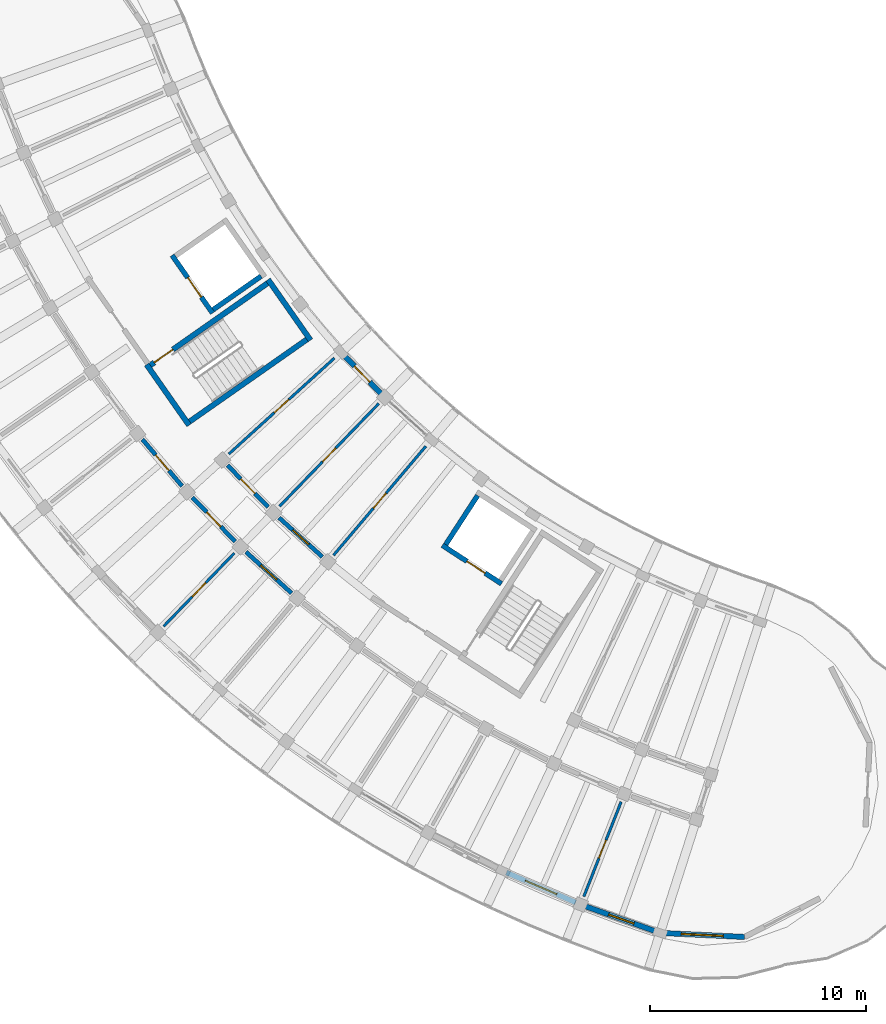
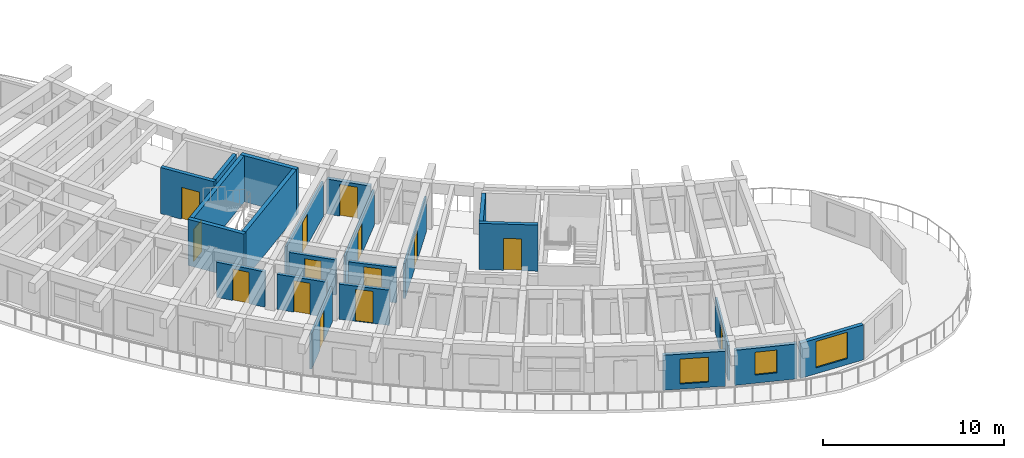
# One storey, part 38 of 78: 22 walls, 14 doors, 3 windows, 17 openings.
"""IFC4 building model written with IfcOpenShell, lengths in metres."""

from ifc_helpers import new_model, si_unit, direction, frame, frame_2d, origin, place, context, subcontext, project, spatial, rectangle, extrude, material, layer, layer_set, type_object, element, fill, save


model = new_model("IFC4")

# Units and contexts
model_context = context("Model", 3, precision=1e-05, world=origin(), true_north=direction((0.0, 1.0)))
body_context = subcontext(model_context, "Body", "Model", "MODEL_VIEW")
ifc_project = project(units=[si_unit("LENGTHUNIT", "METRE"), si_unit("AREAUNIT", "SQUARE_METRE"), si_unit("VOLUMEUNIT", "CUBIC_METRE"), si_unit("PLANEANGLEUNIT", "RADIAN"), si_unit("MASSUNIT", "GRAM", prefix="KILO")], contexts=[model_context])

# Site, building, storey
site_placement = place(None, origin())
site = spatial("IfcSite", under=ifc_project, at=site_placement, CompositionType="ELEMENT")
building_placement = place(site_placement, origin())
building = spatial("IfcBuilding", under=site, at=building_placement, Name="Tanwirah Colonnade Gardens", CompositionType="ELEMENT")
storey_placement = place(building_placement, frame((0.0, 0.0, 22.280029296875)))
storey = spatial("IfcBuildingStorey", under=building, at=storey_placement, Name="L06", CompositionType="ELEMENT", Elevation=22.280029296875)

# Wall, opening, door
ifc_material_1 = material(Name="Limestone architectural precast concrete C40/50", Category="masonry")
ifc_layer_1 = layer(ifc_material_1, 0.2451171875)
ifc_layer_set_1 = layer_set([ifc_layer_1], Name="Limestone architectural precast concrete C40/50")
wall_type_1 = type_object("IfcWallType", Name="EW-PC245", PredefinedType="SOLIDWALL", material=ifc_layer_set_1)
wall_1_placement = place(storey_placement, frame((32.208740234375, 34.49853515625, 0.0), z_axis=(0.0, 0.0, 1.0), x_axis=(0.696228228984, -0.717820488121, 0.0)))
wall_1 = element("IfcWall", 1, at=wall_1_placement, inside=storey, type_object=wall_type_1, Name="Block C L06 IN Precast Facade Wall 7", PredefinedType="SOLIDWALL", context=body_context, shape_type="SweptSolid", body=[
    extrude(rectangle(XDim=2.498779296875, YDim=0.2451171875, at=frame_2d((1.24951171875, 0.0))), origin(), (0.0, 0.0, 1.0), 2.35498046875),
])
opening_1_placement = place(wall_1_placement, frame((0.739501953125, 0.0, 0.0)))
opening_1 = element("IfcOpeningElement", 2, at=opening_1_placement, cuts=wall_1, Name="Opening L06-ED156", PredefinedType="OPENING", context=body_context, shape_type="SweptSolid", body=[
    extrude(rectangle(XDim=1.02001953125, YDim=2.139892578125, at=frame_2d((0.510009765625, 1.06982421875))), frame((0.0, 0.132568359375, 0.0), z_axis=(0.0, -1.0, 0.0), x_axis=(1.0, 0.0, 0.0)), (0.0, 0.0, 1.0), 0.26513671875),
])
ifc_material_2 = material(Name="Bronze aluminium glazed balcony door", Category="aluminium")
door_type_1 = type_object("IfcDoorType", Name="ED-BAL102", OperationType="NOTDEFINED", PredefinedType="DOOR", material=ifc_material_2)
door_1_placement = place(opening_1_placement, origin())
door_1 = element("IfcDoor", 3, at=door_1_placement, inside=storey, type_object=door_type_1, Name="Balcony glazed door L06-ED156", OperationType="SINGLE_SWING_RIGHT", OverallHeight=2.139892578125, OverallWidth=1.02001953125, PredefinedType="DOOR", context=body_context, shape_type="SweptSolid", body=[
    extrude(rectangle(XDim=1.02001953125, YDim=2.139892578125, at=frame_2d((0.510009765625, 1.06982421875))), frame((0.0, 0.02490234375, 0.0), z_axis=(0.0, -1.0, 0.0), x_axis=(1.0, 0.0, 0.0)), (0.0, 0.0, 1.0), 0.050048828125),
])
fill(opening_1, door_1)

# Wall, opening, window
wall_2_placement = place(storey_placement, frame((39.74462890625, 10.576171875, 0.0), z_axis=(0.0, 0.0, 1.0), x_axis=(0.917938367037, -0.396723019652, 0.0)))
wall_2 = element("IfcWall", 4, at=wall_2_placement, inside=storey, type_object=wall_type_1, Name="Block C L06 OUT Precast Facade Wall 13", PredefinedType="SOLIDWALL", context=body_context, shape_type="SweptSolid", body=[
    extrude(rectangle(XDim=3.48681640625, YDim=0.2451171875, at=frame_2d((1.743408203125, 0.0))), origin(), (0.0, 0.0, 1.0), 2.35498046875),
])
opening_2_placement = place(wall_2_placement, frame((0.953369140625, 0.0, 0.35009765625)))
opening_2 = element("IfcOpeningElement", 5, at=opening_2_placement, cuts=wall_2, Name="Opening WIN-T20", PredefinedType="OPENING", context=body_context, shape_type="SweptSolid", body=[
    extrude(rectangle(XDim=1.580078125, YDim=1.679931640625, at=frame_2d((0.7900390625, 0.83984375))), frame((0.0, 0.132568359375, 0.0), z_axis=(0.0, -1.0, 0.0), x_axis=(1.0, 0.0, 0.0)), (0.0, 0.0, 1.0), 0.26513671875),
])
ifc_material_3 = material(Name="Thermally broken bronze aluminium and solar low-E double glazing", Category="aluminium")
window_type_1 = type_object("IfcWindowType", Name="WIN-T20", PartitioningType="DOUBLE_PANEL_VERTICAL", PredefinedType="WINDOW", material=ifc_material_3)
window_1_placement = place(opening_2_placement, origin())
window_1 = element("IfcWindow", 6, at=window_1_placement, inside=storey, type_object=window_type_1, Name="Facade window C-L06-OUT-13", OverallHeight=1.679931640625, OverallWidth=1.580078125, PartitioningType="SINGLE_PANEL", PredefinedType="WINDOW", context=body_context, shape_type="SweptSolid", body=[
    extrude(rectangle(XDim=1.580078125, YDim=1.679931640625, at=frame_2d((0.7900390625, 0.83984375))), frame((0.0, 0.030029296875, 0.0), z_axis=(0.0, -1.0, 0.0), x_axis=(1.0, 0.0, 0.0)), (0.0, 0.0, 1.0), 0.06005859375),
])
fill(opening_2, window_1)

wall_3_placement = place(storey_placement, frame((43.410400390625, 9.009765625, 0.0), z_axis=(0.0, 0.0, 1.0), x_axis=(0.941903386561, -0.335883923976, 0.0)))
wall_3 = element("IfcWall", 7, at=wall_3_placement, inside=storey, type_object=wall_type_1, Name="Block C L06 OUT Precast Facade Wall 14", PredefinedType="SOLIDWALL", context=body_context, shape_type="SweptSolid", body=[
    extrude(rectangle(XDim=3.48681640625, YDim=0.2451171875, at=frame_2d((1.743408203125, 0.0))), origin(), (0.0, 0.0, 1.0), 2.35498046875),
])
opening_3_placement = place(wall_3_placement, frame((1.123291015625, 0.0, 0.550048828125)))
opening_3 = element("IfcOpeningElement", 8, at=opening_3_placement, cuts=wall_3, Name="Opening WIN-U03", PredefinedType="OPENING", context=body_context, shape_type="SweptSolid", body=[
    extrude(rectangle(XDim=1.239990234375, YDim=1.534912109375, at=frame_2d((0.6201171875, 0.767578125))), frame((0.0, 0.132568359375, 0.0), z_axis=(0.0, -1.0, 0.0), x_axis=(1.0, 0.0, 0.0)), (0.0, 0.0, 1.0), 0.26513671875),
])
window_type_2 = type_object("IfcWindowType", Name="WIN-U03", PartitioningType="DOUBLE_PANEL_VERTICAL", PredefinedType="WINDOW", material=ifc_material_3)
window_2_placement = place(opening_3_placement, origin())
window_2 = element("IfcWindow", 9, at=window_2_placement, inside=storey, type_object=window_type_2, Name="Facade window C-L06-OUT-14", OverallHeight=1.534912109375, OverallWidth=1.239990234375, PartitioningType="SINGLE_PANEL", PredefinedType="WINDOW", context=body_context, shape_type="SweptSolid", body=[
    extrude(rectangle(XDim=1.239990234375, YDim=1.534912109375, at=frame_2d((0.6201171875, 0.767578125))), frame((0.0, 0.030029296875, 0.0), z_axis=(0.0, -1.0, 0.0), x_axis=(1.0, 0.0, 0.0)), (0.0, 0.0, 1.0), 0.06005859375),
])
fill(opening_3, window_2)

wall_4_placement = place(storey_placement, frame((50.7490234375, 7.597412109375, 0.0), z_axis=(0.0, 0.0, 1.0), x_axis=(-0.998848550461, 0.047974714619, 0.0)))
wall_4 = element("IfcWall", 10, at=wall_4_placement, inside=storey, type_object=wall_type_1, Name="Block C L06 END Rounded End Wall 5", PredefinedType="SOLIDWALL", context=body_context, shape_type="SweptSolid", body=[
    extrude(rectangle(XDim=3.908203125, YDim=0.2451171875, at=frame_2d((1.9541015625, 0.0))), origin(), (0.0, 0.0, 1.0), 2.35498046875),
])
opening_4_placement = place(wall_4_placement, frame((0.97900390625, 0.0, 0.39990234375)))
opening_4 = element("IfcOpeningElement", 11, at=opening_4_placement, cuts=wall_4, Name="Opening WIN-END2", PredefinedType="OPENING", context=body_context, shape_type="SweptSolid", body=[
    extrude(rectangle(XDim=1.949951171875, YDim=1.780029296875, at=frame_2d((0.97509765625, 0.89013671875))), frame((0.0, 0.132568359375, 0.0), z_axis=(0.0, -1.0, 0.0), x_axis=(1.0, 0.0, 0.0)), (0.0, 0.0, 1.0), 0.26513671875),
])
window_type_3 = type_object("IfcWindowType", Name="WIN-END2", PartitioningType="TRIPLE_PANEL_VERTICAL", PredefinedType="WINDOW", material=ifc_material_3)
window_3_placement = place(opening_4_placement, origin())
window_3 = element("IfcWindow", 12, at=window_3_placement, inside=storey, type_object=window_type_3, Name="Rounded corner window C-L06-END-5", OverallHeight=1.780029296875, OverallWidth=1.949951171875, PartitioningType="SINGLE_PANEL", PredefinedType="WINDOW", context=body_context, shape_type="SweptSolid", body=[
    extrude(rectangle(XDim=1.949951171875, YDim=1.780029296875, at=frame_2d((0.97509765625, 0.89013671875))), frame((0.0, 0.030029296875, 0.0), z_axis=(0.0, -1.0, 0.0), x_axis=(1.0, 0.0, 0.0)), (0.0, 0.0, 1.0), 0.06005859375),
])
fill(opening_4, window_3)

# Wall, opening, door
ifc_material_4 = material(Name="Precast concrete C40/50", Category="concrete")
ifc_layer_2 = layer(ifc_material_4, 0.195068359375)
ifc_layer_set_2 = layer_set([ifc_layer_2], Name="Precast concrete C40/50")
wall_type_2 = type_object("IfcWallType", Name="IW-CORR195", PredefinedType="PARTITIONING", material=ifc_layer_set_2)
wall_5_placement = place(storey_placement, frame((22.9267578125, 30.58642578125, 0.0), z_axis=(0.0, 0.0, 1.0), x_axis=(0.64778830669, -0.761820392032, 0.0)))
wall_5 = element("IfcWall", 13, at=wall_5_placement, inside=storey, type_object=wall_type_2, Name="Block C L06 OUT Corridor Wall 6", PredefinedType="PARTITIONING", context=body_context, shape_type="SweptSolid", body=[
    extrude(rectangle(XDim=2.8369140625, YDim=0.195068359375, at=frame_2d((1.41845703125, 0.0))), origin(), (0.0, 0.0, 1.0), 2.369873046875),
])
opening_5_placement = place(wall_5_placement, frame((0.943603515625, 0.0, 0.0)))
opening_5 = element("IfcOpeningElement", 14, at=opening_5_placement, cuts=wall_5, Name="Opening L06-AD1516", PredefinedType="OPENING", context=body_context, shape_type="SweptSolid", body=[
    extrude(rectangle(XDim=0.949951171875, YDim=2.1298828125, at=frame_2d((0.47509765625, 1.06494140625))), frame((0.0, 0.107421875, 0.0), z_axis=(0.0, -1.0, 0.0), x_axis=(1.0, 0.0, 0.0)), (0.0, 0.0, 1.0), 0.215087890625),
])
ifc_material_5 = material(Name="Solid oak fire-resisting apartment entrance door")
door_type_2 = type_object("IfcDoorType", Name="ID-FLT095", OperationType="NOTDEFINED", PredefinedType="DOOR", material=ifc_material_5)
door_2_placement = place(opening_5_placement, origin())
door_2 = element("IfcDoor", 15, at=door_2_placement, inside=storey, type_object=door_type_2, Name="Apartment corridor door L06-AD1516", OperationType="SINGLE_SWING_LEFT", OverallHeight=2.1298828125, OverallWidth=0.949951171875, PredefinedType="DOOR", context=body_context, shape_type="SweptSolid", body=[
    extrude(rectangle(XDim=0.949951171875, YDim=2.1298828125, at=frame_2d((0.47509765625, 1.06494140625))), frame((0.0, 0.02490234375, 0.0), z_axis=(0.0, -1.0, 0.0), x_axis=(1.0, 0.0, 0.0)), (0.0, 0.0, 1.0), 0.050048828125),
])
fill(opening_5, door_2)

wall_6_placement = place(storey_placement, frame((25.23486328125, 27.9072265625, 0.0), z_axis=(0.0, 0.0, 1.0), x_axis=(0.696223786753, -0.717824796701, 0.0)))
wall_6 = element("IfcWall", 16, at=wall_6_placement, inside=storey, type_object=wall_type_2, Name="Block C L06 OUT Corridor Wall 7", PredefinedType="PARTITIONING", context=body_context, shape_type="SweptSolid", body=[
    extrude(rectangle(XDim=2.8369140625, YDim=0.195068359375, at=frame_2d((1.41845703125, 0.0))), origin(), (0.0, 0.0, 1.0), 2.369873046875),
])
opening_6_placement = place(wall_6_placement, frame((0.95361328125, 0.0, 0.0)))
opening_6 = element("IfcOpeningElement", 17, at=opening_6_placement, cuts=wall_6, Name="Opening L06-AD1518", PredefinedType="OPENING", context=body_context, shape_type="SweptSolid", body=[
    extrude(rectangle(XDim=0.929931640625, YDim=2.1201171875, at=frame_2d((0.46484375, 1.06005859375))), frame((0.0, 0.107421875, 0.0), z_axis=(0.0, -1.0, 0.0), x_axis=(1.0, 0.0, 0.0)), (0.0, 0.0, 1.0), 0.215087890625),
])
door_type_3 = type_object("IfcDoorType", Name="ID-FLT093", OperationType="NOTDEFINED", PredefinedType="DOOR", material=ifc_material_5)
door_3_placement = place(opening_6_placement, origin())
door_3 = element("IfcDoor", 18, at=door_3_placement, inside=storey, type_object=door_type_3, Name="Apartment corridor door L06-AD1518", OperationType="SINGLE_SWING_RIGHT", OverallHeight=2.1201171875, OverallWidth=0.929931640625, PredefinedType="DOOR", context=body_context, shape_type="SweptSolid", body=[
    extrude(rectangle(XDim=0.929931640625, YDim=2.1201171875, at=frame_2d((0.46484375, 1.06005859375))), frame((0.0, 0.02490234375, 0.0), z_axis=(0.0, -1.0, 0.0), x_axis=(1.0, 0.0, 0.0)), (0.0, 0.0, 1.0), 0.050048828125),
])
fill(opening_6, door_3)

wall_7_placement = place(storey_placement, frame((26.86328125, 29.386474609375, 0.0), z_axis=(0.0, 0.0, 1.0), x_axis=(0.696236443412, -0.717812520694, 0.0)))
wall_7 = element("IfcWall", 19, at=wall_7_placement, inside=storey, type_object=wall_type_2, Name="Block C L06 IN Corridor Wall 7", PredefinedType="PARTITIONING", context=body_context, shape_type="SweptSolid", body=[
    extrude(rectangle(XDim=2.693115234375, YDim=0.195068359375, at=frame_2d((1.3466796875, 0.0))), origin(), (0.0, 0.0, 1.0), 2.369873046875),
])
opening_7_placement = place(wall_7_placement, frame((0.881591796875, 0.0, 0.0)))
opening_7 = element("IfcOpeningElement", 20, at=opening_7_placement, cuts=wall_7, Name="Opening L06-AD1519", PredefinedType="OPENING", context=body_context, shape_type="SweptSolid", body=[
    extrude(rectangle(XDim=0.929931640625, YDim=2.1201171875, at=frame_2d((0.46484375, 1.06005859375))), frame((0.0, 0.107421875, 0.0), z_axis=(0.0, -1.0, 0.0), x_axis=(1.0, 0.0, 0.0)), (0.0, 0.0, 1.0), 0.215087890625),
])
door_4_placement = place(opening_7_placement, origin())
door_4 = element("IfcDoor", 21, at=door_4_placement, inside=storey, type_object=door_type_3, Name="Apartment corridor door L06-AD1519", OperationType="SINGLE_SWING_LEFT", OverallHeight=2.1201171875, OverallWidth=0.929931640625, PredefinedType="DOOR", context=body_context, shape_type="SweptSolid", body=[
    extrude(rectangle(XDim=0.929931640625, YDim=2.1201171875, at=frame_2d((0.46484375, 1.06005859375))), frame((0.0, 0.02490234375, 0.0), z_axis=(0.0, -1.0, 0.0), x_axis=(1.0, 0.0, 0.0)), (0.0, 0.0, 1.0), 0.050048828125),
])
fill(opening_7, door_4)

wall_8_placement = place(storey_placement, frame((27.71337890625, 25.385009765625, 0.0), z_axis=(0.0, 0.0, 1.0), x_axis=(0.741631592147, -0.670807410163, 0.0)))
wall_8 = element("IfcWall", 22, at=wall_8_placement, inside=storey, type_object=wall_type_2, Name="Block C L06 OUT Corridor Wall 8", PredefinedType="PARTITIONING", context=body_context, shape_type="SweptSolid", body=[
    extrude(rectangle(XDim=2.8369140625, YDim=0.195068359375, at=frame_2d((1.41845703125, 0.0))), origin(), (0.0, 0.0, 1.0), 2.369873046875),
])
opening_8_placement = place(wall_8_placement, frame((0.923583984375, 0.0, 0.0)))
opening_8 = element("IfcOpeningElement", 23, at=opening_8_placement, cuts=wall_8, Name="Opening L06-AD1522", PredefinedType="OPENING", context=body_context, shape_type="SweptSolid", body=[
    extrude(rectangle(XDim=0.989990234375, YDim=2.159912109375, at=frame_2d((0.4951171875, 1.080078125))), frame((0.0, 0.107421875, 0.0), z_axis=(0.0, -1.0, 0.0), x_axis=(1.0, 0.0, 0.0)), (0.0, 0.0, 1.0), 0.215087890625),
])
door_type_4 = type_object("IfcDoorType", Name="ID-FLT099", OperationType="NOTDEFINED", PredefinedType="DOOR", material=ifc_material_5)
door_5_placement = place(opening_8_placement, origin())
door_5 = element("IfcDoor", 24, at=door_5_placement, inside=storey, type_object=door_type_4, Name="Apartment corridor door L06-AD1522", OperationType="SINGLE_SWING_LEFT", OverallHeight=2.159912109375, OverallWidth=0.989990234375, PredefinedType="DOOR", context=body_context, shape_type="SweptSolid", body=[
    extrude(rectangle(XDim=0.989990234375, YDim=2.159912109375, at=frame_2d((0.4951171875, 1.080078125))), frame((0.0, 0.02490234375, 0.0), z_axis=(0.0, -1.0, 0.0), x_axis=(1.0, 0.0, 0.0)), (0.0, 0.0, 1.0), 0.050048828125),
])
fill(opening_8, door_5)

wall_9_placement = place(storey_placement, frame((29.241455078125, 26.967529296875, 0.0), z_axis=(0.0, 0.0, 1.0), x_axis=(0.74166462946, -0.670770882945, 0.0)))
wall_9 = element("IfcWall", 25, at=wall_9_placement, inside=storey, type_object=wall_type_2, Name="Block C L06 IN Corridor Wall 8", PredefinedType="PARTITIONING", context=body_context, shape_type="SweptSolid", body=[
    extrude(rectangle(XDim=2.693115234375, YDim=0.195068359375, at=frame_2d((1.3466796875, 0.0))), origin(), (0.0, 0.0, 1.0), 2.369873046875),
])
opening_9_placement = place(wall_9_placement, frame((0.8515625, 0.0, 0.0)))
opening_9 = element("IfcOpeningElement", 26, at=opening_9_placement, cuts=wall_9, Name="Opening L06-AD1523", PredefinedType="OPENING", context=body_context, shape_type="SweptSolid", body=[
    extrude(rectangle(XDim=0.989990234375, YDim=2.159912109375, at=frame_2d((0.4951171875, 1.080078125))), frame((0.0, 0.107421875, 0.0), z_axis=(0.0, -1.0, 0.0), x_axis=(1.0, 0.0, 0.0)), (0.0, 0.0, 1.0), 0.215087890625),
])
door_6_placement = place(opening_9_placement, origin())
door_6 = element("IfcDoor", 27, at=door_6_placement, inside=storey, type_object=door_type_4, Name="Apartment corridor door L06-AD1523", OperationType="SINGLE_SWING_RIGHT", OverallHeight=2.159912109375, OverallWidth=0.989990234375, PredefinedType="DOOR", context=body_context, shape_type="SweptSolid", body=[
    extrude(rectangle(XDim=0.989990234375, YDim=2.159912109375, at=frame_2d((0.4951171875, 1.080078125))), frame((0.0, 0.02490234375, 0.0), z_axis=(0.0, -1.0, 0.0), x_axis=(1.0, 0.0, 0.0)), (0.0, 0.0, 1.0), 0.050048828125),
])
fill(opening_9, door_6)

ifc_material_6 = material(Name="Moisture-resistant gypsum stud partition")
ifc_layer_3 = layer(ifc_material_6, 0.125)
ifc_layer_set_3 = layer_set([ifc_layer_3], Name="Moisture-resistant gypsum stud partition")
wall_type_3 = type_object("IfcWallType", Name="IW-INT125", PredefinedType="PARTITIONING", material=ifc_layer_set_3)
wall_10_placement = place(storey_placement, frame((31.80126953125, 34.34423828125, 0.0), z_axis=(0.0, 0.0, 1.0), x_axis=(-0.74023124711, -0.672352363573, 0.0)))
wall_10 = element("IfcWall", 28, at=wall_10_placement, inside=storey, type_object=wall_type_3, Name="Block C L06 Inner Radial Partition 6", PredefinedType="PARTITIONING", context=body_context, shape_type="SweptSolid", body=[
    extrude(rectangle(XDim=6.599853515625, YDim=0.125, at=frame_2d((3.2998046875, 0.0))), origin(), (0.0, 0.0, 1.0), 2.369873046875),
])
opening_10_placement = place(wall_10_placement, frame((2.85498046875, 0.0, 0.0)))
opening_10 = element("IfcOpeningElement", 29, at=opening_10_placement, cuts=wall_10, Name="Opening L06-RD1517", PredefinedType="OPENING", context=body_context, shape_type="SweptSolid", body=[
    extrude(rectangle(XDim=0.889892578125, YDim=2.10009765625, at=frame_2d((0.44482421875, 1.050048828125))), frame((0.0, 0.072509765625, 0.0), z_axis=(0.0, -1.0, 0.0), x_axis=(1.0, 0.0, 0.0)), (0.0, 0.0, 1.0), 0.14501953125),
])
ifc_material_7 = material(Name="Painted hardwood bedroom door", Category="wood")
door_type_5 = type_object("IfcDoorType", Name="ID-RM089", OperationType="NOTDEFINED", PredefinedType="DOOR", material=ifc_material_7)
door_7_placement = place(opening_10_placement, origin())
door_7 = element("IfcDoor", 30, at=door_7_placement, inside=storey, type_object=door_type_5, Name="Internal apartment door L06-RD1517", OperationType="SINGLE_SWING_RIGHT", OverallHeight=2.10009765625, OverallWidth=0.889892578125, PredefinedType="DOOR", context=body_context, shape_type="SweptSolid", body=[
    extrude(rectangle(XDim=0.889892578125, YDim=2.10009765625, at=frame_2d((0.44482421875, 1.050048828125))), frame((0.0, 0.02490234375, 0.0), z_axis=(0.0, -1.0, 0.0), x_axis=(1.0, 0.0, 0.0)), (0.0, 0.0, 1.0), 0.050048828125),
])
fill(opening_10, door_7)

wall_11_placement = place(storey_placement, frame((27.17578125, 25.33203125, 0.0), z_axis=(0.0, 0.0, 1.0), x_axis=(-0.69466218314, -0.719336118456, 0.0)))
wall_11 = element("IfcWall", 31, at=wall_11_placement, inside=storey, type_object=wall_type_3, Name="Block C L06 Radial Partition 7", PredefinedType="PARTITIONING", context=body_context, shape_type="SweptSolid", body=[
    extrude(rectangle(XDim=4.699951171875, YDim=0.125, at=frame_2d((2.35009765625, 0.0))), origin(), (0.0, 0.0, 1.0), 2.369873046875),
])
opening_11_placement = place(wall_11_placement, frame((1.905029296875, 0.0, 0.0)))
opening_11 = element("IfcOpeningElement", 32, at=opening_11_placement, cuts=wall_11, Name="Opening L06-RD1520", PredefinedType="OPENING", context=body_context, shape_type="SweptSolid", body=[
    extrude(rectangle(XDim=0.889892578125, YDim=2.10009765625, at=frame_2d((0.44482421875, 1.050048828125))), frame((0.0, 0.072509765625, 0.0), z_axis=(0.0, -1.0, 0.0), x_axis=(1.0, 0.0, 0.0)), (0.0, 0.0, 1.0), 0.14501953125),
])
door_8_placement = place(opening_11_placement, origin())
door_8 = element("IfcDoor", 33, at=door_8_placement, inside=storey, type_object=door_type_5, Name="Internal apartment door L06-RD1520", OperationType="SINGLE_SWING_RIGHT", OverallHeight=2.10009765625, OverallWidth=0.889892578125, PredefinedType="DOOR", context=body_context, shape_type="SweptSolid", body=[
    extrude(rectangle(XDim=0.889892578125, YDim=2.10009765625, at=frame_2d((0.44482421875, 1.050048828125))), frame((0.0, 0.02490234375, 0.0), z_axis=(0.0, -1.0, 0.0), x_axis=(1.0, 0.0, 0.0)), (0.0, 0.0, 1.0), 0.050048828125),
])
fill(opening_11, door_8)

wall_12_placement = place(storey_placement, frame((33.844482421875, 32.237548828125, 0.0), z_axis=(0.0, 0.0, 1.0), x_axis=(-0.69466250658, -0.71933580611, 0.0)))
wall_12 = element("IfcWall", 34, at=wall_12_placement, inside=storey, type_object=wall_type_3, Name="Block C L06 Inner Radial Partition 7", PredefinedType="PARTITIONING", context=body_context, shape_type="SweptSolid", body=[
    extrude(rectangle(XDim=6.599853515625, YDim=0.125, at=frame_2d((3.2998046875, 0.0))), origin(), (0.0, 0.0, 1.0), 2.369873046875),
])
opening_12_placement = place(wall_12_placement, frame((2.864990234375, 0.0, 0.0)))
opening_12 = element("IfcOpeningElement", 35, at=opening_12_placement, cuts=wall_12, Name="Opening L06-RD1521", PredefinedType="OPENING", context=body_context, shape_type="SweptSolid", body=[
    extrude(rectangle(XDim=0.8701171875, YDim=2.080078125, at=frame_2d((0.43505859375, 1.0400390625))), frame((0.0, 0.072509765625, 0.0), z_axis=(0.0, -1.0, 0.0), x_axis=(1.0, 0.0, 0.0)), (0.0, 0.0, 1.0), 0.14501953125),
])
ifc_material_8 = material(Name="Painted hardwood study door", Category="wood")
door_type_6 = type_object("IfcDoorType", Name="ID-RM087", OperationType="NOTDEFINED", PredefinedType="DOOR", material=ifc_material_8)
door_9_placement = place(opening_12_placement, origin())
door_9 = element("IfcDoor", 36, at=door_9_placement, inside=storey, type_object=door_type_6, Name="Internal apartment door L06-RD1521", OperationType="SINGLE_SWING_LEFT", OverallHeight=2.080078125, OverallWidth=0.8701171875, PredefinedType="DOOR", context=body_context, shape_type="SweptSolid", body=[
    extrude(rectangle(XDim=0.8701171875, YDim=2.080078125, at=frame_2d((0.43505859375, 1.0400390625))), frame((0.0, 0.02490234375, 0.0), z_axis=(0.0, -1.0, 0.0), x_axis=(1.0, 0.0, 0.0)), (0.0, 0.0, 1.0), 0.050048828125),
])
fill(opening_12, door_9)

wall_13_placement = place(storey_placement, frame((36.021240234375, 30.26904296875, 0.0), z_axis=(0.0, 0.0, 1.0), x_axis=(-0.646121311019, -0.763234728932, 0.0)))
wall_13 = element("IfcWall", 37, at=wall_13_placement, inside=storey, type_object=wall_type_3, Name="Block C L06 Inner Radial Partition 8", PredefinedType="PARTITIONING", context=body_context, shape_type="SweptSolid", body=[
    extrude(rectangle(XDim=6.60009765625, YDim=0.125, at=frame_2d((3.300048828125, 0.0))), origin(), (0.0, 0.0, 1.0), 2.369873046875),
])
opening_13_placement = place(wall_13_placement, frame((2.844970703125, 0.0, 0.0)))
opening_13 = element("IfcOpeningElement", 38, at=opening_13_placement, cuts=wall_13, Name="Opening L06-RD1524", PredefinedType="OPENING", context=body_context, shape_type="SweptSolid", body=[
    extrude(rectangle(XDim=0.909912109375, YDim=2.10009765625, at=frame_2d((0.455078125, 1.050048828125))), frame((0.0, 0.072509765625, 0.0), z_axis=(0.0, -1.0, 0.0), x_axis=(1.0, 0.0, 0.0)), (0.0, 0.0, 1.0), 0.14501953125),
])
ifc_material_9 = material(Name="Painted hardwood internal room door", Category="wood")
door_type_7 = type_object("IfcDoorType", Name="ID-RM091", OperationType="NOTDEFINED", PredefinedType="DOOR", material=ifc_material_9)
door_10_placement = place(opening_13_placement, origin())
door_10 = element("IfcDoor", 39, at=door_10_placement, inside=storey, type_object=door_type_7, Name="Internal apartment door L06-RD1524", OperationType="SINGLE_SWING_RIGHT", OverallHeight=2.10009765625, OverallWidth=0.909912109375, PredefinedType="DOOR", context=body_context, shape_type="SweptSolid", body=[
    extrude(rectangle(XDim=0.909912109375, YDim=2.10009765625, at=frame_2d((0.455078125, 1.050048828125))), frame((0.0, 0.02490234375, 0.0), z_axis=(0.0, -1.0, 0.0), x_axis=(1.0, 0.0, 0.0)), (0.0, 0.0, 1.0), 0.050048828125),
])
fill(opening_13, door_10)

wall_14_placement = place(storey_placement, frame((45.0439453125, 13.8388671875, 0.0), z_axis=(0.0, 0.0, 1.0), x_axis=(-0.366468650514, -0.930430399434, 0.0)))
wall_14 = element("IfcWall", 40, at=wall_14_placement, inside=storey, type_object=wall_type_3, Name="Block C L06 Radial Partition 13", PredefinedType="PARTITIONING", context=body_context, shape_type="SweptSolid", body=[
    extrude(rectangle(XDim=4.699951171875, YDim=0.125, at=frame_2d((2.35009765625, 0.0))), origin(), (0.0, 0.0, 1.0), 2.369873046875),
])
opening_14_placement = place(wall_14_placement, frame((1.905029296875, 0.0, 0.0)))
opening_14 = element("IfcOpeningElement", 41, at=opening_14_placement, cuts=wall_14, Name="Opening L06-RD1533", PredefinedType="OPENING", context=body_context, shape_type="SweptSolid", body=[
    extrude(rectangle(XDim=0.889892578125, YDim=2.10009765625, at=frame_2d((0.44482421875, 1.050048828125))), frame((0.0, 0.072509765625, 0.0), z_axis=(0.0, -1.0, 0.0), x_axis=(1.0, 0.0, 0.0)), (0.0, 0.0, 1.0), 0.14501953125),
])
door_11_placement = place(opening_14_placement, origin())
door_11 = element("IfcDoor", 42, at=door_11_placement, inside=storey, type_object=door_type_5, Name="Internal apartment door L06-RD1533", OperationType="SINGLE_SWING_RIGHT", OverallHeight=2.10009765625, OverallWidth=0.889892578125, PredefinedType="DOOR", context=body_context, shape_type="SweptSolid", body=[
    extrude(rectangle(XDim=0.889892578125, YDim=2.10009765625, at=frame_2d((0.44482421875, 1.050048828125))), frame((0.0, 0.02490234375, 0.0), z_axis=(0.0, -1.0, 0.0), x_axis=(1.0, 0.0, 0.0)), (0.0, 0.0, 1.0), 0.050048828125),
])
fill(opening_14, door_11)

# Walls
ifc_material_10 = material(Name="Concrete C45/55", Category="concrete")
ifc_layer_4 = layer(ifc_material_10, 0.25)
ifc_layer_set_4 = layer_set([ifc_layer_4], Name="Concrete C45/55")
wall_type_4 = type_object("IfcWallType", Name="SW-CORE250", PredefinedType="SHEAR", material=ifc_layer_set_4)
wall_15_placement = place(storey_placement, frame((25.1142578125, 31.413818359375, 0.0), z_axis=(0.0, 0.0, 1.0), x_axis=(0.819141541656, 0.573591435374, 0.0)))
element("IfcWall", 43, at=wall_15_placement, inside=storey, type_object=wall_type_4, Name="CORE-C1 L06 Stair Shaft Shear Wall LEFT", PredefinedType="SHEAR", context=body_context, shape_type="SweptSolid", body=[
    extrude(rectangle(XDim=6.599853515625, YDim=0.25, at=frame_2d((3.2998046875, 0.0))), origin(), (0.0, 0.0, 1.0), 3.10986328125),
])
for number, where, z_axis, x_axis, name in (
    (44, (30.694580078125, 35.168701171875, 0.0), (0.0, 0.0, 1.0), (-0.573582112484, 0.819148069789, 0.0), "CORE-C1 L06 Stair Shaft Shear Wall FAR"),
    (45, (25.08349609375, 31.23974609375, 0.0), (0.0, 0.0, 1.0), (-0.573582112484, 0.819148069789, 0.0), "CORE-C1 L06 Stair Shaft Shear Wall NEAR"),
):
    element("IfcWall", number, at=place(storey_placement, frame(where, z_axis=z_axis, x_axis=x_axis)), inside=storey, type_object=wall_type_4, Name=name, PredefinedType="SHEAR", context=body_context, shape_type="SweptSolid", body=[
        extrude(rectangle(XDim=3.419921875, YDim=0.25, at=frame_2d((1.7099609375, 0.0))), origin(), (0.0, 0.0, 1.0), 3.10986328125),
    ])

# Wall, opening, door
wall_16_placement = place(storey_placement, frame((23.2958984375, 34.010498046875, 0.0), z_axis=(0.0, 0.0, 1.0), x_axis=(0.819153711596, 0.573574055182, 0.0)))
wall_16 = element("IfcWall", 46, at=wall_16_placement, inside=storey, type_object=wall_type_4, Name="CORE-C1 L06 Stair Shaft Shear Wall RIGHT", PredefinedType="SHEAR", context=body_context, shape_type="SweptSolid", body=[
    extrude(rectangle(XDim=6.60009765625, YDim=0.25, at=frame_2d((3.300048828125, 0.0))), origin(), (0.0, 0.0, 1.0), 3.10986328125),
])
opening_15_placement = place(wall_16_placement, frame((0.219970703125, 0.0, 0.0)))
opening_15 = element("IfcOpeningElement", 47, at=opening_15_placement, cuts=wall_16, Name="Opening L06-SD128", PredefinedType="OPENING", context=body_context, shape_type="SweptSolid", body=[
    extrude(rectangle(XDim=1.050048828125, YDim=2.14990234375, at=frame_2d((0.52490234375, 1.074951171875))), frame((0.0, 0.135009765625, 0.0), z_axis=(0.0, -1.0, 0.0), x_axis=(1.0, 0.0, 0.0)), (0.0, 0.0, 1.0), 0.27001953125),
])
ifc_material_11 = material(Name="Steel fire-resisting stair enclosure door", Category="steel")
door_type_8 = type_object("IfcDoorType", Name="ID-ST105", OperationType="NOTDEFINED", PredefinedType="DOOR", material=ifc_material_11)
door_12_placement = place(opening_15_placement, origin())
door_12 = element("IfcDoor", 48, at=door_12_placement, inside=storey, type_object=door_type_8, Name="CORE-C1 L06 Stair Fire Door L06-SD128", OperationType="SINGLE_SWING_LEFT", OverallHeight=2.14990234375, OverallWidth=1.050048828125, PredefinedType="DOOR", context=body_context, shape_type="SweptSolid", body=[
    extrude(rectangle(XDim=1.050048828125, YDim=2.14990234375, at=frame_2d((0.52490234375, 1.074951171875))), frame((0.0, 0.02490234375, 0.0), z_axis=(0.0, -1.0, 0.0), x_axis=(1.0, 0.0, 0.0)), (0.0, 0.0, 1.0), 0.050048828125),
])
fill(opening_15, door_12)

ifc_layer_5 = layer(ifc_material_10, 0.22998046875)
ifc_layer_set_5 = layer_set([ifc_layer_5], Name="Concrete C45/55")
wall_type_5 = type_object("IfcWallType", Name="SW-LIFT230", PredefinedType="SHEAR", material=ifc_layer_set_5)
wall_17_placement = place(storey_placement, frame((26.1689453125, 36.419189453125, 0.0), z_axis=(0.0, 0.0, 1.0), x_axis=(-0.573582966431, 0.819147471839, 0.0)))
wall_17 = element("IfcWall", 49, at=wall_17_placement, inside=storey, type_object=wall_type_5, Name="CORE-C1 L06 Lift Shaft Wall FRONT", PredefinedType="SHEAR", context=body_context, shape_type="SweptSolid", body=[
    extrude(rectangle(XDim=3.260009765625, YDim=0.22998046875, at=frame_2d((1.6298828125, 0.0))), origin(), (0.0, 0.0, 1.0), 3.10986328125),
])
opening_16_placement = place(wall_17_placement, frame((0.89990234375, 0.0, 0.0)))
opening_16 = element("IfcOpeningElement", 50, at=opening_16_placement, cuts=wall_17, Name="Opening L06-LD-FL-C1", PredefinedType="OPENING", context=body_context, shape_type="SweptSolid", body=[
    extrude(rectangle(XDim=1.10009765625, YDim=2.14990234375, at=frame_2d((0.550048828125, 1.074951171875))), frame((0.0, 0.125, 0.0), z_axis=(0.0, -1.0, 0.0), x_axis=(1.0, 0.0, 0.0)), (0.0, 0.0, 1.0), 0.25),
])
ifc_material_12 = material(Name="Stainless steel sliding fire lift landing door", Category="steel")
door_type_9 = type_object("IfcDoorType", Name="LD-FF11", OperationType="DOUBLE_DOOR_SLIDING", PredefinedType="DOOR", material=ifc_material_12)
door_13_placement = place(opening_16_placement, origin())
door_13 = element("IfcDoor", 51, at=door_13_placement, inside=storey, type_object=door_type_9, Name="Lift FL-C1 L06 Sliding Landing Door", OperationType="DOUBLE_DOOR_SLIDING", OverallHeight=2.14990234375, OverallWidth=1.10009765625, PredefinedType="DOOR", context=body_context, shape_type="SweptSolid", body=[
    extrude(rectangle(XDim=1.10009765625, YDim=2.14990234375, at=frame_2d((0.550048828125, 1.074951171875))), frame((0.0, 0.02490234375, 0.0), z_axis=(0.0, -1.0, 0.0), x_axis=(1.0, 0.0, 0.0)), (0.0, 0.0, 1.0), 0.050048828125),
])
fill(opening_16, door_13)

# Wall
wall_18_placement = place(storey_placement, frame((26.197265625, 36.579345703125, 0.0), z_axis=(0.0, 0.0, 1.0), x_axis=(0.819159695432, 0.573565509231, 0.0)))
element("IfcWall", 52, at=wall_18_placement, inside=storey, type_object=wall_type_5, Name="CORE-C1 L06 Lift Shaft Wall SIDEA", PredefinedType="SHEAR", context=body_context, shape_type="SweptSolid", body=[
    extrude(rectangle(XDim=2.699951171875, YDim=0.22998046875, at=frame_2d((1.35009765625, 0.0))), origin(), (0.0, 0.0, 1.0), 3.10986328125),
])

# Wall, opening, door
wall_19_placement = place(storey_placement, frame((39.515869140625, 23.91748046875, 0.0), z_axis=(0.0, 0.0, 1.0), x_axis=(-0.838660840752, 0.544654013286, 0.0)))
wall_19 = element("IfcWall", 53, at=wall_19_placement, inside=storey, type_object=wall_type_5, Name="CORE-C2 L06 Lift Shaft Wall FRONT", PredefinedType="SHEAR", context=body_context, shape_type="SweptSolid", body=[
    extrude(rectangle(XDim=3.260009765625, YDim=0.22998046875, at=frame_2d((1.6298828125, 0.0))), origin(), (0.0, 0.0, 1.0), 3.10986328125),
])
opening_17_placement = place(wall_19_placement, frame((0.89990234375, 0.0, 0.0)))
opening_17 = element("IfcOpeningElement", 54, at=opening_17_placement, cuts=wall_19, Name="Opening L06-LD-PL-C2", PredefinedType="OPENING", context=body_context, shape_type="SweptSolid", body=[
    extrude(rectangle(XDim=1.0, YDim=2.14990234375, at=frame_2d((0.5, 1.074951171875))), frame((0.0, 0.125, 0.0), z_axis=(0.0, -1.0, 0.0), x_axis=(1.0, 0.0, 0.0)), (0.0, 0.0, 1.0), 0.25),
])
ifc_material_13 = material(Name="Bronze stainless steel sliding lift landing door", Category="steel")
door_type_10 = type_object("IfcDoorType", Name="LD-PS10", OperationType="DOUBLE_DOOR_SLIDING", PredefinedType="DOOR", material=ifc_material_13)
door_14_placement = place(opening_17_placement, origin())
door_14 = element("IfcDoor", 55, at=door_14_placement, inside=storey, type_object=door_type_10, Name="Lift PL-C2 L06 Sliding Landing Door", OperationType="DOUBLE_DOOR_SLIDING", OverallHeight=2.14990234375, OverallWidth=1.0, PredefinedType="DOOR", context=body_context, shape_type="SweptSolid", body=[
    extrude(rectangle(XDim=1.0, YDim=2.14990234375, at=frame_2d((0.5, 1.074951171875))), frame((0.0, 0.02490234375, 0.0), z_axis=(0.0, -1.0, 0.0), x_axis=(1.0, 0.0, 0.0)), (0.0, 0.0, 1.0), 0.050048828125),
])
fill(opening_17, door_14)

# Wall
wall_20_placement = place(storey_placement, frame((36.94091796875, 25.726806640625, 0.0), z_axis=(0.0, 0.0, 1.0), x_axis=(0.544622789439, 0.838681117722, 0.0)))
element("IfcWall", 56, at=wall_20_placement, inside=storey, type_object=wall_type_5, Name="CORE-C2 L06 Lift Shaft Wall SIDEB", PredefinedType="SHEAR", context=body_context, shape_type="SweptSolid", body=[
    extrude(rectangle(XDim=2.699951171875, YDim=0.22998046875, at=frame_2d((1.35009765625, 0.0))), origin(), (0.0, 0.0, 1.0), 3.10986328125),
])

save(model, "model.ifc")
